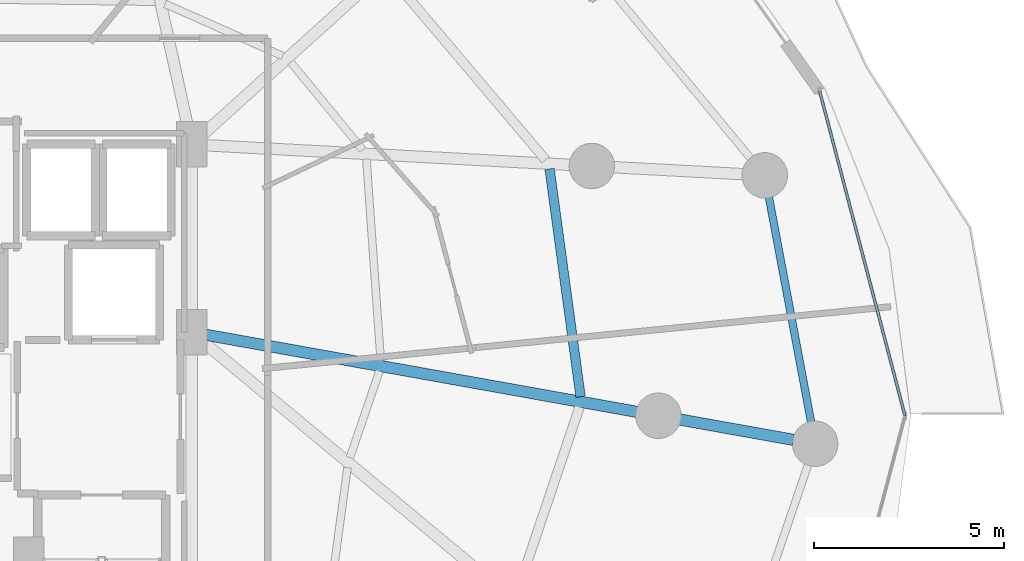
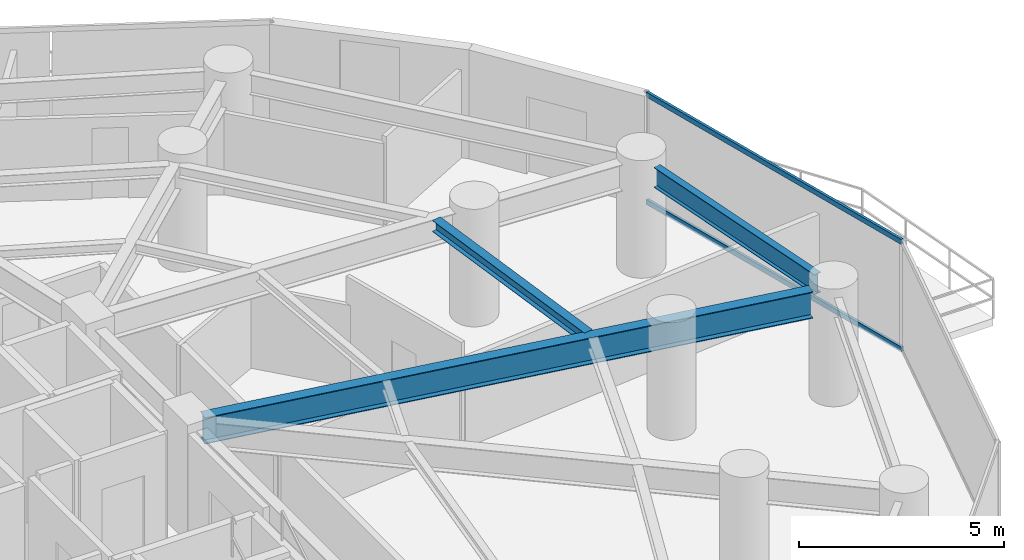
# One storey, part 16 of 33: 3 beams, 2 members, 1 element without a shape of its own.
"""IFC4 building model written with IfcOpenShell, lengths in metres."""

from ifc_helpers import new_model, si_unit, direction, frame, origin, origin_2d, place, context, subcontext, project, spatial, hollow_rectangle, i_section, extrude, material, material_profile, profile_set, type_object, element, aggregate, save


model = new_model("IFC4")

# Units and contexts
model_context = context("Model", 3, precision=1e-05, world=origin(), true_north=direction((0.0, 1.0)))
body_context = subcontext(model_context, "Body", "Model", "MODEL_VIEW")
ifc_project = project(units=[si_unit("LENGTHUNIT", "METRE"), si_unit("AREAUNIT", "SQUARE_METRE"), si_unit("VOLUMEUNIT", "CUBIC_METRE"), si_unit("PLANEANGLEUNIT", "RADIAN"), si_unit("MASSUNIT", "GRAM", prefix="KILO")], contexts=[model_context])

# Site, building, storey
site_placement = place(None, origin())
site = spatial("IfcSite", under=ifc_project, at=site_placement, CompositionType="ELEMENT")
building_placement = place(site_placement, origin())
building = spatial("IfcBuilding", under=site, at=building_placement, Name="Vorneva Point Tower", CompositionType="ELEMENT")
storey_placement = place(building_placement, frame((0.0, 0.0, 59.0)))
storey = spatial("IfcBuildingStorey", under=building, at=storey_placement, Name="L15", CompositionType="ELEMENT", Elevation=59.0)

# Beams
ifc_material_1 = material(Name="Steel S355", Category="steel")
ifc_material_profile_1 = material_profile(ifc_material_1, i_section(OverallWidth=0.300048828125, OverallDepth=0.7880859375, WebThickness=0.014404296875, FlangeThickness=0.02197265625, at=origin_2d()), Name="80Sh1")
ifc_profile_set_1 = profile_set([ifc_material_profile_1], Name="Steel S355")
beam_type_1 = type_object("IfcBeamType", Name="BM-GRD-80Sh1", PredefinedType="USERDEFINED", material=ifc_profile_set_1)
beam_1_placement = place(storey_placement, frame((64.603271484375, 25.364501953125, 2.845947265625), z_axis=(-0.984378532035, 0.176065060895, 0.0), x_axis=(-0.176065060895, -0.984378532035, 0.0)))
element("IfcBeam", 1, at=beam_1_placement, inside=storey, type_object=beam_type_1, Name="L15 Radial Primary Girder 01", ObjectType="GIRDER", PredefinedType="USERDEFINED", context=body_context, shape_type="SweptSolid", body=[
    extrude(i_section(OverallWidth=0.300048828125, OverallDepth=0.7880859375, WebThickness=0.014404296875, FlangeThickness=0.02197265625, at=origin_2d()), origin(), (0.0, 0.0, 1.0), 15.764892578125),
])
ifc_material_profile_2 = material_profile(ifc_material_1, i_section(OverallWidth=0.2490234375, OverallDepth=0.333984375, WebThickness=0.008056640625, FlangeThickness=0.010986328125, at=origin_2d()), Name="35Sh1")
ifc_profile_set_2 = profile_set([ifc_material_profile_2], Name="Steel S355")
beam_type_2 = type_object("IfcBeamType", Name="BM-SEC-35Sh1", PredefinedType="BEAM", material=ifc_profile_set_2)
beam_2_placement = place(storey_placement, frame((58.998046875, 26.50048828125, 3.072998046875), z_axis=(-0.134656627262, 0.990892321463, 0.0), x_axis=(-0.990892321463, -0.134656627262, 0.0)))
element("IfcBeam", 2, at=beam_2_placement, inside=storey, type_object=beam_type_2, Name="L15 Secondary Floor Beam 1.01", PredefinedType="BEAM", context=body_context, shape_type="SweptSolid", body=[
    extrude(i_section(OverallWidth=0.2490234375, OverallDepth=0.333984375, WebThickness=0.008056640625, FlangeThickness=0.010986328125, at=origin_2d()), origin(), (0.0, 0.0, 1.0), 6.06103515625),
])
ifc_material_profile_3 = material_profile(ifc_material_1, i_section(OverallWidth=0.198974609375, OverallDepth=0.595947265625, WebThickness=0.010009765625, FlangeThickness=0.014892578125, at=origin_2d()), Name="60B1")
ifc_profile_set_3 = profile_set([ifc_material_profile_3], Name="Steel S355")
beam_type_3 = type_object("IfcBeamType", Name="BM-SPN-60B1", PredefinedType="SPANDREL", material=ifc_profile_set_3)
beam_3_placement = place(storey_placement, frame((65.07421875, 25.8359375, 2.94189453125), z_axis=(-0.184405887522, 0.982850176094, 0.0), x_axis=(-0.982850176094, -0.184405887522, 0.0)))
element("IfcBeam", 3, at=beam_3_placement, inside=storey, type_object=beam_type_3, Name="L15 Perimeter Spandrel Ring Beam 01", PredefinedType="SPANDREL", context=body_context, shape_type="SweptSolid", body=[
    extrude(i_section(OverallWidth=0.198974609375, OverallDepth=0.595947265625, WebThickness=0.010009765625, FlangeThickness=0.014892578125, at=origin_2d()), origin(), (0.0, 0.0, 1.0), 6.029296875),
])

# Curtain wall, members
ifc_material_2 = material(Name="Pale anodised aluminium", Category="aluminium")
curtain_wall_type = type_object("IfcCurtainWallType", Name="CW-HTL-SYS", PredefinedType="NOTDEFINED", material=ifc_material_2)
curtain_wall_placement = place(storey_placement, origin())
curtain_wall = element("IfcCurtainWall", 4, at=curtain_wall_placement, inside=storey, type_object=curtain_wall_type, Name="L15 Unitised Curtain Wall CW-L15-R01", PredefinedType="NOTDEFINED")
ifc_material_profile_4 = material_profile(ifc_material_2, hollow_rectangle(XDim=0.074951171875, YDim=0.14990234375, WallThickness=0.00390625, at=origin_2d()), Name="AL-TRN 150x75x4")
ifc_profile_set_4 = profile_set([ifc_material_profile_4], Name="Pale anodised aluminium")
member_type = type_object("IfcMemberType", Name="CW-TRN-150", PredefinedType="USERDEFINED", material=ifc_profile_set_4)
member_1_placement = place(storey_placement, frame((67.550048828125, 26.0, 0.02001953125), z_axis=(-0.254358772746, 0.967109928978, 0.0), x_axis=(-0.967109928978, -0.254358772746, 0.0)))
member_1 = element("IfcMember", 5, at=member_1_placement, type_object=member_type, Name="CW-L15-R01 Transom 03.1", ObjectType="TRANSOM", PredefinedType="USERDEFINED", context=body_context, shape_type="SweptSolid", body=[
    extrude(hollow_rectangle(XDim=0.074951171875, YDim=0.14990234375, WallThickness=0.00390625, at=origin_2d()), origin(), (0.0, 0.0, 1.0), 8.84375),
])
member_2_placement = place(storey_placement, frame((67.550048828125, 26.0, 3.219970703125), z_axis=(-0.254358772746, 0.967109928978, 0.0), x_axis=(-0.967109928978, -0.254358772746, 0.0)))
member_2 = element("IfcMember", 6, at=member_2_placement, type_object=member_type, Name="CW-L15-R01 Transom 03.2", ObjectType="TRANSOM", PredefinedType="USERDEFINED", context=body_context, shape_type="SweptSolid", body=[
    extrude(hollow_rectangle(XDim=0.074951171875, YDim=0.14990234375, WallThickness=0.00390625, at=origin_2d()), origin(), (0.0, 0.0, 1.0), 8.84375),
])
aggregate(curtain_wall, [member_1, member_2])

save(model, "model.ifc")
